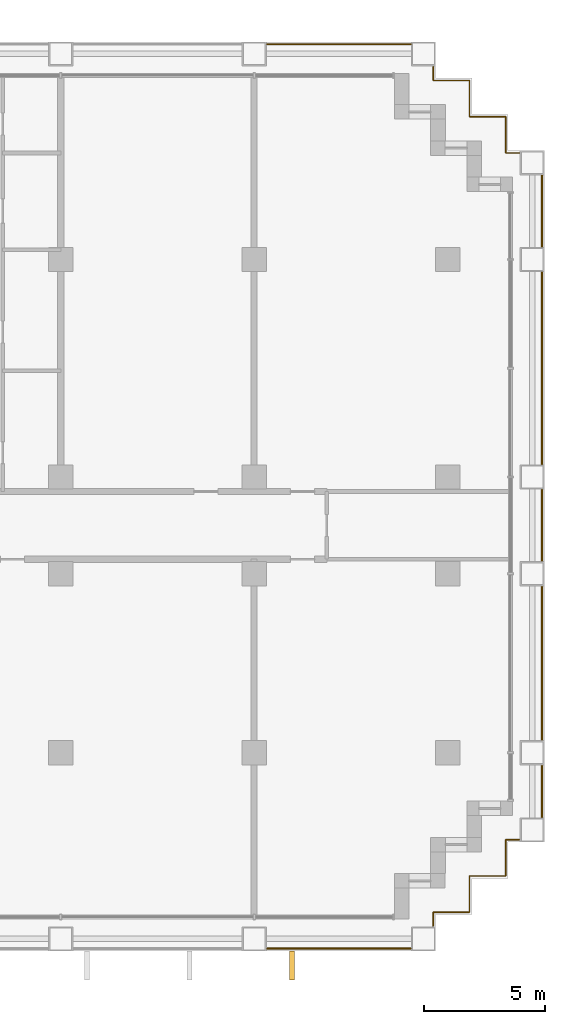
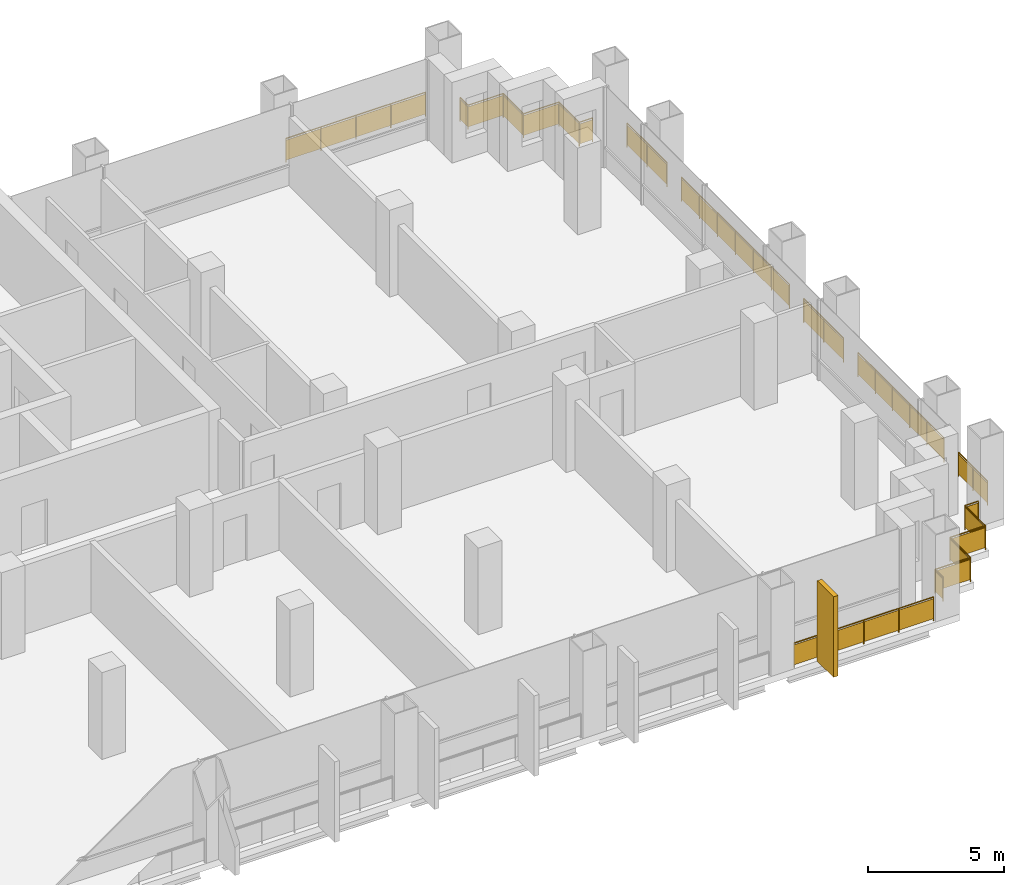
# One storey, part 13 of 13: 9 railings, 1 shading device.
"""IFC4 building model written with IfcOpenShell, lengths in metres."""

from ifc_helpers import new_model, si_unit, direction, frame, frame_2d, origin, origin_2d, place, context, subcontext, project, spatial, rectangle, circle, extrude, material, layer, layer_set, type_object, element, save


model = new_model("IFC4")

# Units and contexts
model_context = context("Model", 3, precision=1e-05, world=origin(), true_north=direction((0.0, 1.0)))
body_context = subcontext(model_context, "Body", "Model", "MODEL_VIEW")
ifc_project = project(units=[si_unit("LENGTHUNIT", "METRE"), si_unit("AREAUNIT", "SQUARE_METRE"), si_unit("VOLUMEUNIT", "CUBIC_METRE"), si_unit("PLANEANGLEUNIT", "RADIAN"), si_unit("MASSUNIT", "GRAM", prefix="KILO")], contexts=[model_context])

# Site, building, storey
site_placement = place(None, origin())
site = spatial("IfcSite", under=ifc_project, at=site_placement, CompositionType="ELEMENT")
building_placement = place(site_placement, origin())
building = spatial("IfcBuilding", under=site, at=building_placement, Name="Vidyagriha Tower", CompositionType="ELEMENT")
storey_placement = place(building_placement, frame((0.0, 0.0, 37.699951171875)))
storey = spatial("IfcBuildingStorey", under=building, at=storey_placement, Name="L09", CompositionType="ELEMENT", Elevation=37.699951171875)

# Shading device
ifc_material_1 = material(Name="Precast concrete C40/50 with brick facing", Category="concrete")
ifc_layer = layer(ifc_material_1, 0.199951171875)
ifc_layer_set = layer_set([ifc_layer], Name="Precast concrete C40/50 with brick facing")
shading_device_type = type_object("IfcShadingDeviceType", Name="Brick-faced solar fin 1200", PredefinedType="USERDEFINED", material=ifc_layer_set)
shading_device_placement = place(storey_placement, frame((27.56005859375, -17.60009765625, 0.0), z_axis=(0.0, 0.0, 1.0), x_axis=(0.0, -1.0, 0.0)))
element("IfcShadingDevice", 1, at=shading_device_placement, inside=storey, type_object=shading_device_type, Name="Solar fin L09 R23.14", ObjectType="SOLAR FIN", PredefinedType="USERDEFINED", context=body_context, shape_type="SweptSolid", body=[
    extrude(rectangle(XDim=1.199951171875, YDim=0.199951171875, at=frame_2d((0.60009765625, 0.0))), origin(), (0.0, 0.0, 1.0), 3.6201171875),
])

# Railings
ifc_material_2 = material(Name="Steel ASTM A500 Grade C black painted", Category="steel")
railing_type = type_object("IfcRailingType", Name="Gallery guard 1100", PredefinedType="GUARDRAIL", material=ifc_material_2)
railing_1_placement = place(storey_placement, frame((32.469970703125, -17.5, 0.0)))
element("IfcRailing", 2, at=railing_1_placement, inside=storey, type_object=railing_type, Name="Gallery guard L09 21", PredefinedType="GUARDRAIL", context=body_context, shape_type="SweptSolid", body=[
    extrude(circle(Radius=0.02490234375, at=origin_2d()), frame((0.0, 0.0, 1.0751953125), z_axis=(-1.0, 0.0, 0.0), x_axis=(0.0, -1.0, 0.0)), (0.0, 0.0, 1.0), 5.93994140625),
    extrude(circle(Radius=0.02001953125, at=origin_2d()), origin(), (0.0, 0.0, 1.0), 1.050048828125),
    extrude(circle(Radius=0.02001953125, at=origin_2d()), frame((-1.48486328125, 0.0, 0.0)), (0.0, 0.0, 1.0), 1.050048828125),
    extrude(circle(Radius=0.02001953125, at=origin_2d()), frame((-2.969970703125, 0.0, 0.0)), (0.0, 0.0, 1.0), 1.050048828125),
    extrude(circle(Radius=0.02001953125, at=origin_2d()), frame((-4.455078125, 0.0, 0.0)), (0.0, 0.0, 1.0), 1.050048828125),
    extrude(circle(Radius=0.02001953125, at=origin_2d()), frame((-5.93994140625, 0.0, 0.0)), (0.0, 0.0, 1.0), 1.050048828125),
    extrude(rectangle(XDim=0.010009765625, YDim=0.900146484375, at=origin_2d()), frame((0.0, 0.0, 0.550048828125), z_axis=(-1.0, 0.0, 0.0), x_axis=(0.0, -1.0, 0.0)), (0.0, 0.0, 1.0), 5.93994140625),
])
railing_2_placement = place(storey_placement, frame((26.530029296875, 19.89990234375, 0.0)))
element("IfcRailing", 3, at=railing_2_placement, inside=storey, type_object=railing_type, Name="Gallery guard L09 22", PredefinedType="GUARDRAIL", context=body_context, shape_type="SweptSolid", body=[
    extrude(circle(Radius=0.02490234375, at=origin_2d()), frame((0.0, 0.0, 1.0751953125), z_axis=(1.0, 0.0, 0.0), x_axis=(0.0, 1.0, 0.0)), (0.0, 0.0, 1.0), 5.93994140625),
    extrude(circle(Radius=0.02001953125, at=origin_2d()), origin(), (0.0, 0.0, 1.0), 1.050048828125),
    extrude(circle(Radius=0.02001953125, at=origin_2d()), frame((1.48486328125, 0.0, 0.0)), (0.0, 0.0, 1.0), 1.050048828125),
    extrude(circle(Radius=0.02001953125, at=origin_2d()), frame((2.969970703125, 0.0, 0.0)), (0.0, 0.0, 1.0), 1.050048828125),
    extrude(circle(Radius=0.02001953125, at=origin_2d()), frame((4.455078125, 0.0, 0.0)), (0.0, 0.0, 1.0), 1.050048828125),
    extrude(circle(Radius=0.02001953125, at=origin_2d()), frame((5.93994140625, 0.0, 0.0)), (0.0, 0.0, 1.0), 1.050048828125),
    extrude(rectangle(XDim=0.010009765625, YDim=0.900146484375, at=origin_2d()), frame((0.0, 0.0, 0.550048828125), z_axis=(1.0, 0.0, 0.0), x_axis=(0.0, 1.0, 0.0)), (0.0, 0.0, 1.0), 5.93994140625),
])
railing_3_placement = place(storey_placement, frame((36.969970703125, -13.0, 0.0)))
element("IfcRailing", 4, at=railing_3_placement, inside=storey, type_object=railing_type, Name="Gallery guard L09 23", PredefinedType="GUARDRAIL", context=body_context, shape_type="SweptSolid", body=[
    extrude(circle(Radius=0.02490234375, at=origin_2d()), frame((0.0, 0.0, 1.0751953125), z_axis=(-1.0, 0.0, 0.0), x_axis=(0.0, -1.0, 0.0)), (0.0, 0.0, 1.0), 0.570068359375),
    extrude(circle(Radius=0.02490234375, at=origin_2d()), frame((-0.570068359375, 0.0, 1.0751953125), z_axis=(0.0, -1.0, 0.0), x_axis=(1.0, 0.0, 0.0)), (0.0, 0.0, 1.0), 1.5),
    extrude(circle(Radius=0.02490234375, at=origin_2d()), frame((-0.570068359375, -1.5, 1.0751953125), z_axis=(-1.0, 0.0, 0.0), x_axis=(0.0, -1.0, 0.0)), (0.0, 0.0, 1.0), 1.5),
    extrude(circle(Radius=0.02490234375, at=origin_2d()), frame((-2.070068359375, -1.5, 1.0751953125), z_axis=(0.0, -1.0, 0.0), x_axis=(1.0, 0.0, 0.0)), (0.0, 0.0, 1.0), 1.5),
    extrude(circle(Radius=0.02490234375, at=origin_2d()), frame((-2.070068359375, -3.0, 1.0751953125), z_axis=(-1.0, 0.0, 0.0), x_axis=(0.0, -1.0, 0.0)), (0.0, 0.0, 1.0), 1.5),
    extrude(circle(Radius=0.02490234375, at=origin_2d()), frame((-3.570068359375, -3.0, 1.0751953125), z_axis=(0.0, -1.0, 0.0), x_axis=(1.0, 0.0, 0.0)), (0.0, 0.0, 1.0), 0.570068359375),
    extrude(circle(Radius=0.02001953125, at=origin_2d()), origin(), (0.0, 0.0, 1.0), 1.050048828125),
    extrude(circle(Radius=0.02001953125, at=origin_2d()), frame((-0.570068359375, 0.0, 0.0)), (0.0, 0.0, 1.0), 1.050048828125),
    extrude(circle(Radius=0.02001953125, at=origin_2d()), frame((-0.570068359375, -1.5, 0.0)), (0.0, 0.0, 1.0), 1.050048828125),
    extrude(circle(Radius=0.02001953125, at=origin_2d()), frame((-2.070068359375, -1.5, 0.0)), (0.0, 0.0, 1.0), 1.050048828125),
    extrude(circle(Radius=0.02001953125, at=origin_2d()), frame((-2.070068359375, -3.0, 0.0)), (0.0, 0.0, 1.0), 1.050048828125),
    extrude(circle(Radius=0.02001953125, at=origin_2d()), frame((-3.570068359375, -3.0, 0.0)), (0.0, 0.0, 1.0), 1.050048828125),
    extrude(circle(Radius=0.02001953125, at=origin_2d()), frame((-3.570068359375, -3.570068359375, 0.0)), (0.0, 0.0, 1.0), 1.050048828125),
    extrude(rectangle(XDim=0.010009765625, YDim=0.900146484375, at=origin_2d()), frame((0.0, 0.0, 0.550048828125), z_axis=(-1.0, 0.0, 0.0), x_axis=(0.0, -1.0, 0.0)), (0.0, 0.0, 1.0), 0.570068359375),
    extrude(rectangle(XDim=0.010009765625, YDim=0.900146484375, at=origin_2d()), frame((-0.570068359375, 0.0, 0.550048828125), z_axis=(0.0, -1.0, 0.0), x_axis=(1.0, 0.0, 0.0)), (0.0, 0.0, 1.0), 1.5),
    extrude(rectangle(XDim=0.010009765625, YDim=0.900146484375, at=origin_2d()), frame((-0.570068359375, -1.5, 0.550048828125), z_axis=(-1.0, 0.0, 0.0), x_axis=(0.0, -1.0, 0.0)), (0.0, 0.0, 1.0), 1.5),
    extrude(rectangle(XDim=0.010009765625, YDim=0.900146484375, at=origin_2d()), frame((-2.070068359375, -1.5, 0.550048828125), z_axis=(0.0, -1.0, 0.0), x_axis=(1.0, 0.0, 0.0)), (0.0, 0.0, 1.0), 1.5),
    extrude(rectangle(XDim=0.010009765625, YDim=0.900146484375, at=origin_2d()), frame((-2.070068359375, -3.0, 0.550048828125), z_axis=(-1.0, 0.0, 0.0), x_axis=(0.0, -1.0, 0.0)), (0.0, 0.0, 1.0), 1.5),
    extrude(rectangle(XDim=0.010009765625, YDim=0.900146484375, at=origin_2d()), frame((-3.570068359375, -3.0, 0.550048828125), z_axis=(0.0, -1.0, 0.0), x_axis=(1.0, 0.0, 0.0)), (0.0, 0.0, 1.0), 0.570068359375),
])
railing_4_placement = place(storey_placement, frame((33.39990234375, 18.969970703125, 0.0)))
element("IfcRailing", 5, at=railing_4_placement, inside=storey, type_object=railing_type, Name="Gallery guard L09 24", PredefinedType="GUARDRAIL", context=body_context, shape_type="SweptSolid", body=[
    extrude(circle(Radius=0.02490234375, at=origin_2d()), frame((0.0, 0.0, 1.0751953125), z_axis=(0.0, -1.0, 0.0), x_axis=(1.0, 0.0, 0.0)), (0.0, 0.0, 1.0), 0.570068359375),
    extrude(circle(Radius=0.02490234375, at=origin_2d()), frame((0.0, -0.570068359375, 1.0751953125), z_axis=(1.0, 0.0, 0.0), x_axis=(0.0, 1.0, 0.0)), (0.0, 0.0, 1.0), 1.5),
    extrude(circle(Radius=0.02490234375, at=origin_2d()), frame((1.5, -0.570068359375, 1.0751953125), z_axis=(0.0, -1.0, 0.0), x_axis=(1.0, 0.0, 0.0)), (0.0, 0.0, 1.0), 1.5),
    extrude(circle(Radius=0.02490234375, at=origin_2d()), frame((1.5, -2.070068359375, 1.0751953125), z_axis=(1.0, 0.0, 0.0), x_axis=(0.0, 1.0, 0.0)), (0.0, 0.0, 1.0), 1.5),
    extrude(circle(Radius=0.02490234375, at=origin_2d()), frame((3.0, -2.070068359375, 1.0751953125), z_axis=(0.0, -1.0, 0.0), x_axis=(1.0, 0.0, 0.0)), (0.0, 0.0, 1.0), 1.5),
    extrude(circle(Radius=0.02490234375, at=origin_2d()), frame((3.0, -3.570068359375, 1.0751953125), z_axis=(1.0, 0.0, 0.0), x_axis=(0.0, 1.0, 0.0)), (0.0, 0.0, 1.0), 0.570068359375),
    extrude(circle(Radius=0.02001953125, at=origin_2d()), origin(), (0.0, 0.0, 1.0), 1.050048828125),
    extrude(circle(Radius=0.02001953125, at=origin_2d()), frame((0.0, -0.570068359375, 0.0)), (0.0, 0.0, 1.0), 1.050048828125),
    extrude(circle(Radius=0.02001953125, at=origin_2d()), frame((1.5, -0.570068359375, 0.0)), (0.0, 0.0, 1.0), 1.050048828125),
    extrude(circle(Radius=0.02001953125, at=origin_2d()), frame((1.5, -2.070068359375, 0.0)), (0.0, 0.0, 1.0), 1.050048828125),
    extrude(circle(Radius=0.02001953125, at=origin_2d()), frame((3.0, -2.070068359375, 0.0)), (0.0, 0.0, 1.0), 1.050048828125),
    extrude(circle(Radius=0.02001953125, at=origin_2d()), frame((3.0, -3.570068359375, 0.0)), (0.0, 0.0, 1.0), 1.050048828125),
    extrude(circle(Radius=0.02001953125, at=origin_2d()), frame((3.570068359375, -3.570068359375, 0.0)), (0.0, 0.0, 1.0), 1.050048828125),
    extrude(rectangle(XDim=0.010009765625, YDim=0.900146484375, at=origin_2d()), frame((0.0, 0.0, 0.550048828125), z_axis=(0.0, -1.0, 0.0), x_axis=(1.0, 0.0, 0.0)), (0.0, 0.0, 1.0), 0.570068359375),
    extrude(rectangle(XDim=0.010009765625, YDim=0.900146484375, at=origin_2d()), frame((0.0, -0.570068359375, 0.550048828125), z_axis=(1.0, 0.0, 0.0), x_axis=(0.0, 1.0, 0.0)), (0.0, 0.0, 1.0), 1.5),
    extrude(rectangle(XDim=0.010009765625, YDim=0.900146484375, at=origin_2d()), frame((1.5, -0.570068359375, 0.550048828125), z_axis=(0.0, -1.0, 0.0), x_axis=(1.0, 0.0, 0.0)), (0.0, 0.0, 1.0), 1.5),
    extrude(rectangle(XDim=0.010009765625, YDim=0.900146484375, at=origin_2d()), frame((1.5, -2.070068359375, 0.550048828125), z_axis=(1.0, 0.0, 0.0), x_axis=(0.0, 1.0, 0.0)), (0.0, 0.0, 1.0), 1.5),
    extrude(rectangle(XDim=0.010009765625, YDim=0.900146484375, at=origin_2d()), frame((3.0, -2.070068359375, 0.550048828125), z_axis=(0.0, -1.0, 0.0), x_axis=(1.0, 0.0, 0.0)), (0.0, 0.0, 1.0), 1.5),
    extrude(rectangle(XDim=0.010009765625, YDim=0.900146484375, at=origin_2d()), frame((3.0, -3.570068359375, 0.550048828125), z_axis=(1.0, 0.0, 0.0), x_axis=(0.0, 1.0, 0.0)), (0.0, 0.0, 1.0), 0.570068359375),
])
railing_5_placement = place(storey_placement, frame((37.89990234375, -9.929931640625, 0.0)))
element("IfcRailing", 6, at=railing_5_placement, inside=storey, type_object=railing_type, Name="Gallery guard L09 25", PredefinedType="GUARDRAIL", context=body_context, shape_type="SweptSolid", body=[
    extrude(circle(Radius=0.02490234375, at=origin_2d()), frame((0.0, 0.0, 1.0751953125), z_axis=(0.0, -1.0, 0.0), x_axis=(1.0, 0.0, 0.0)), (0.0, 0.0, 1.0), 2.14013671875),
    extrude(circle(Radius=0.02001953125, at=origin_2d()), origin(), (0.0, 0.0, 1.0), 1.050048828125),
    extrude(circle(Radius=0.02001953125, at=origin_2d()), frame((0.0, -1.070068359375, 0.0)), (0.0, 0.0, 1.0), 1.050048828125),
    extrude(circle(Radius=0.02001953125, at=origin_2d()), frame((0.0, -2.14013671875, 0.0)), (0.0, 0.0, 1.0), 1.050048828125),
    extrude(rectangle(XDim=0.010009765625, YDim=0.900146484375, at=origin_2d()), frame((0.0, 0.0, 0.550048828125), z_axis=(0.0, -1.0, 0.0), x_axis=(1.0, 0.0, 0.0)), (0.0, 0.0, 1.0), 2.14013671875),
])
railing_6_placement = place(storey_placement, frame((37.89990234375, -2.530029296875, 0.0)))
element("IfcRailing", 7, at=railing_6_placement, inside=storey, type_object=railing_type, Name="Gallery guard L09 26", PredefinedType="GUARDRAIL", context=body_context, shape_type="SweptSolid", body=[
    extrude(circle(Radius=0.02490234375, at=origin_2d()), frame((0.0, 0.0, 1.0751953125), z_axis=(0.0, -1.0, 0.0), x_axis=(1.0, 0.0, 0.0)), (0.0, 0.0, 1.0), 6.340087890625),
    extrude(circle(Radius=0.02001953125, at=origin_2d()), origin(), (0.0, 0.0, 1.0), 1.050048828125),
    extrude(circle(Radius=0.02001953125, at=origin_2d()), frame((0.0, -1.26806640625, 0.0)), (0.0, 0.0, 1.0), 1.050048828125),
    extrude(circle(Radius=0.02001953125, at=origin_2d()), frame((0.0, -2.5361328125, 0.0)), (0.0, 0.0, 1.0), 1.050048828125),
    extrude(circle(Radius=0.02001953125, at=origin_2d()), frame((0.0, -3.803955078125, 0.0)), (0.0, 0.0, 1.0), 1.050048828125),
    extrude(circle(Radius=0.02001953125, at=origin_2d()), frame((0.0, -5.072021484375, 0.0)), (0.0, 0.0, 1.0), 1.050048828125),
    extrude(circle(Radius=0.02001953125, at=origin_2d()), frame((0.0, -6.340087890625, 0.0)), (0.0, 0.0, 1.0), 1.050048828125),
    extrude(rectangle(XDim=0.010009765625, YDim=0.900146484375, at=origin_2d()), frame((0.0, 0.0, 0.550048828125), z_axis=(0.0, -1.0, 0.0), x_axis=(1.0, 0.0, 0.0)), (0.0, 0.0, 1.0), 6.340087890625),
])
railing_7_placement = place(storey_placement, frame((37.89990234375, 1.469970703125, 0.0)))
element("IfcRailing", 8, at=railing_7_placement, inside=storey, type_object=railing_type, Name="Gallery guard L09 27", PredefinedType="GUARDRAIL", context=body_context, shape_type="SweptSolid", body=[
    extrude(circle(Radius=0.02490234375, at=origin_2d()), frame((0.0, 0.0, 1.0751953125), z_axis=(0.0, -1.0, 0.0), x_axis=(1.0, 0.0, 0.0)), (0.0, 0.0, 1.0), 2.93994140625),
    extrude(circle(Radius=0.02001953125, at=origin_2d()), origin(), (0.0, 0.0, 1.0), 1.050048828125),
    extrude(circle(Radius=0.02001953125, at=origin_2d()), frame((0.0, -1.469970703125, 0.0)), (0.0, 0.0, 1.0), 1.050048828125),
    extrude(circle(Radius=0.02001953125, at=origin_2d()), frame((0.0, -2.93994140625, 0.0)), (0.0, 0.0, 1.0), 1.050048828125),
    extrude(rectangle(XDim=0.010009765625, YDim=0.900146484375, at=origin_2d()), frame((0.0, 0.0, 0.550048828125), z_axis=(0.0, -1.0, 0.0), x_axis=(1.0, 0.0, 0.0)), (0.0, 0.0, 1.0), 2.93994140625),
])
railing_8_placement = place(storey_placement, frame((37.89990234375, 10.469970703125, 0.0)))
element("IfcRailing", 9, at=railing_8_placement, inside=storey, type_object=railing_type, Name="Gallery guard L09 28", PredefinedType="GUARDRAIL", context=body_context, shape_type="SweptSolid", body=[
    extrude(circle(Radius=0.02490234375, at=origin_2d()), frame((0.0, 0.0, 1.0751953125), z_axis=(0.0, -1.0, 0.0), x_axis=(1.0, 0.0, 0.0)), (0.0, 0.0, 1.0), 7.93994140625),
    extrude(circle(Radius=0.02001953125, at=origin_2d()), origin(), (0.0, 0.0, 1.0), 1.050048828125),
    extrude(circle(Radius=0.02001953125, at=origin_2d()), frame((0.0, -1.3232421875, 0.0)), (0.0, 0.0, 1.0), 1.050048828125),
    extrude(circle(Radius=0.02001953125, at=origin_2d()), frame((0.0, -2.646728515625, 0.0)), (0.0, 0.0, 1.0), 1.050048828125),
    extrude(circle(Radius=0.02001953125, at=origin_2d()), frame((0.0, -3.969970703125, 0.0)), (0.0, 0.0, 1.0), 1.050048828125),
    extrude(circle(Radius=0.02001953125, at=origin_2d()), frame((0.0, -5.293212890625, 0.0)), (0.0, 0.0, 1.0), 1.050048828125),
    extrude(circle(Radius=0.02001953125, at=origin_2d()), frame((0.0, -6.61669921875, 0.0)), (0.0, 0.0, 1.0), 1.050048828125),
    extrude(circle(Radius=0.02001953125, at=origin_2d()), frame((0.0, -7.93994140625, 0.0)), (0.0, 0.0, 1.0), 1.050048828125),
    extrude(rectangle(XDim=0.010009765625, YDim=0.900146484375, at=origin_2d()), frame((0.0, 0.0, 0.550048828125), z_axis=(0.0, -1.0, 0.0), x_axis=(1.0, 0.0, 0.0)), (0.0, 0.0, 1.0), 7.93994140625),
])
railing_9_placement = place(storey_placement, frame((37.89990234375, 14.469970703125, 0.0)))
element("IfcRailing", 10, at=railing_9_placement, inside=storey, type_object=railing_type, Name="Gallery guard L09 29", PredefinedType="GUARDRAIL", context=body_context, shape_type="SweptSolid", body=[
    extrude(circle(Radius=0.02490234375, at=origin_2d()), frame((0.0, 0.0, 1.0751953125), z_axis=(0.0, -1.0, 0.0), x_axis=(1.0, 0.0, 0.0)), (0.0, 0.0, 1.0), 2.93994140625),
    extrude(circle(Radius=0.02001953125, at=origin_2d()), origin(), (0.0, 0.0, 1.0), 1.050048828125),
    extrude(circle(Radius=0.02001953125, at=origin_2d()), frame((0.0, -1.469970703125, 0.0)), (0.0, 0.0, 1.0), 1.050048828125),
    extrude(circle(Radius=0.02001953125, at=origin_2d()), frame((0.0, -2.93994140625, 0.0)), (0.0, 0.0, 1.0), 1.050048828125),
    extrude(rectangle(XDim=0.010009765625, YDim=0.900146484375, at=origin_2d()), frame((0.0, 0.0, 0.550048828125), z_axis=(0.0, -1.0, 0.0), x_axis=(1.0, 0.0, 0.0)), (0.0, 0.0, 1.0), 2.93994140625),
])

save(model, "model.ifc")
